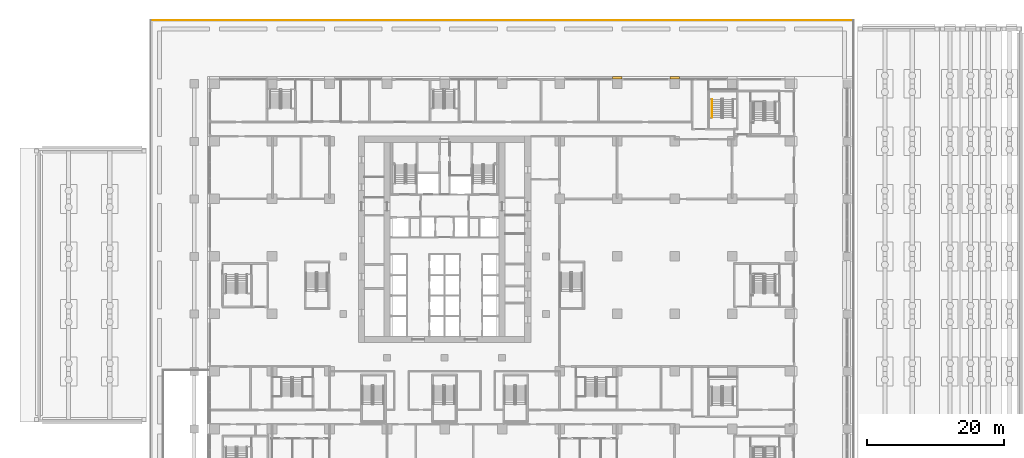
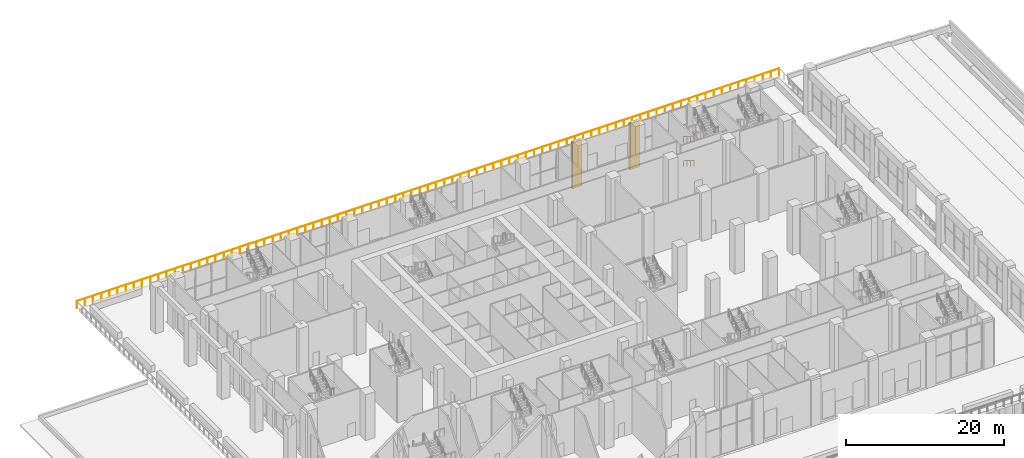
# One storey, part 52 of 53: 3 railings, 2 coverings.
"""IFC4 building model written with IfcOpenShell, lengths in metres."""

from ifc_helpers import new_model, si_unit, direction, frame, origin, origin_2d, place, context, subcontext, project, spatial, polyline, rectangle, outline, extrude, material, type_object, element, save


model = new_model("IFC4")

# Units and contexts
model_context = context("Model", 3, precision=1e-05, world=origin(), true_north=direction((0.0, 1.0)))
body_context = subcontext(model_context, "Body", "Model", "MODEL_VIEW")
ifc_project = project(units=[si_unit("LENGTHUNIT", "METRE"), si_unit("AREAUNIT", "SQUARE_METRE"), si_unit("VOLUMEUNIT", "CUBIC_METRE"), si_unit("PLANEANGLEUNIT", "RADIAN"), si_unit("MASSUNIT", "GRAM", prefix="KILO")], contexts=[model_context])

# Site, building, storey
site_placement = place(None, origin())
site = spatial("IfcSite", under=ifc_project, at=site_placement, CompositionType="ELEMENT")
building_placement = place(site_placement, origin())
building = spatial("IfcBuilding", under=site, at=building_placement, Name="Vermilion Ogive Tower", CompositionType="ELEMENT")
storey_placement = place(building_placement, origin())
storey = spatial("IfcBuildingStorey", under=building, at=storey_placement, Name="L00", CompositionType="ELEMENT", Elevation=0.0)

# Railings
ifc_material_1 = material(Name="Stainless steel", Category="steel")
railing_type_1 = type_object("IfcRailingType", Name="Stair handrail 900", PredefinedType="HANDRAIL", material=ifc_material_1)
for number, where, name in (
    (1, (39.050048828125, 27.14990234375, 0.1875), "L00 PS2 stair handrail 1"),
    (2, (39.050048828125, 27.14990234375, 3.9375), "L00 PS2 stair handrail 3"),
):
    element("IfcRailing", number, at=place(storey_placement, frame(where)), inside=storey, type_object=railing_type_1, Name=name, PredefinedType="HANDRAIL", context=body_context, shape_type="SweptSolid", body=[
        extrude(rectangle(XDim=0.048095703125, YDim=0.048095703125, at=origin_2d()), frame((0.0, 0.0, 0.8759765625), z_axis=(0.0, -0.847993996163, 0.530005832488), x_axis=(1.0, 0.0, 0.0)), (0.0, 0.0, 1.0), 3.183837890625),
        extrude(rectangle(XDim=0.0419921875, YDim=0.0419921875, at=origin_2d()), origin(), (0.0, 0.0, 1.0), 0.851806640625),
        extrude(rectangle(XDim=0.0419921875, YDim=0.0419921875, at=origin_2d()), frame((0.0, -0.89990234375, 0.5625)), (0.0, 0.0, 1.0), 0.851806640625),
        extrude(rectangle(XDim=0.0419921875, YDim=0.0419921875, at=origin_2d()), frame((0.0, -1.800048828125, 1.125)), (0.0, 0.0, 1.0), 0.851806640625),
        extrude(rectangle(XDim=0.0419921875, YDim=0.0419921875, at=origin_2d()), frame((0.0, -2.699951171875, 1.6875)), (0.0, 0.0, 1.0), 0.851806640625),
    ])

# Coverings
ifc_material_2 = material(Name="Stone cladding", Category="masonry")
covering_type = type_object("IfcCoveringType", Name="Stone pier", PredefinedType="CLADDING", material=ifc_material_2)
covering_1_placement = place(storey_placement, origin())
element("IfcCovering", 3, at=covering_1_placement, inside=storey, type_object=covering_type, Name="Stone pier P+252+294", PredefinedType="CLADDING", context=body_context, shape_type="SweptSolid", body=[
    extrude(outline(polyline([(24.5, 30.449951171875), (25.89990234375, 30.449951171875), (25.89990234375, 30.10009765625), (24.5, 30.10009765625), (24.5, 30.449951171875)])), origin(), (0.0, 0.0, 1.0), 7.10009765625),
])
covering_2_placement = place(storey_placement, origin())
element("IfcCovering", 4, at=covering_2_placement, inside=storey, type_object=covering_type, Name="Stone pier P+336+294", PredefinedType="CLADDING", context=body_context, shape_type="SweptSolid", body=[
    extrude(outline(polyline([(32.89990234375, 30.449951171875), (34.300048828125, 30.449951171875), (34.300048828125, 30.10009765625), (32.89990234375, 30.10009765625), (32.89990234375, 30.449951171875)])), origin(), (0.0, 0.0, 1.0), 7.10009765625),
])

# Railing
ifc_material_3 = material(Name="Stainless steel and glass", Category="steel")
railing_type_2 = type_object("IfcRailingType", Name="Terrace guard", PredefinedType="GUARDRAIL", material=ifc_material_3)
railing_placement = place(storey_placement, frame((-42.89990234375, 38.699951171875, 0.0)))
element("IfcRailing", 5, at=railing_placement, inside=storey, type_object=railing_type_2, Name="Terrace guard 1.1", PredefinedType="GUARDRAIL", context=body_context, shape_type="SweptSolid", body=[
    extrude(rectangle(XDim=0.048095703125, YDim=0.048095703125, at=origin_2d()), frame((0.0, 0.0, 1.076171875), z_axis=(1.0, 0.0, 0.0), x_axis=(0.0, 1.0, 0.0)), (0.0, 0.0, 1.0), 102.599853515625),
    extrude(rectangle(XDim=0.0419921875, YDim=0.0419921875, at=origin_2d()), origin(), (0.0, 0.0, 1.0), 1.052001953125),
    extrude(rectangle(XDim=0.0419921875, YDim=0.0419921875, at=origin_2d()), frame((1.193115234375, 0.0, 0.0)), (0.0, 0.0, 1.0), 1.052001953125),
    extrude(rectangle(XDim=0.0419921875, YDim=0.0419921875, at=origin_2d()), frame((2.385986328125, 0.0, 0.0)), (0.0, 0.0, 1.0), 1.052001953125),
    extrude(rectangle(XDim=0.0419921875, YDim=0.0419921875, at=origin_2d()), frame((3.5791015625, 0.0, 0.0)), (0.0, 0.0, 1.0), 1.052001953125),
    extrude(rectangle(XDim=0.0419921875, YDim=0.0419921875, at=origin_2d()), frame((4.77197265625, 0.0, 0.0)), (0.0, 0.0, 1.0), 1.052001953125),
    extrude(rectangle(XDim=0.0419921875, YDim=0.0419921875, at=origin_2d()), frame((5.965087890625, 0.0, 0.0)), (0.0, 0.0, 1.0), 1.052001953125),
    extrude(rectangle(XDim=0.0419921875, YDim=0.0419921875, at=origin_2d()), frame((7.158203125, 0.0, 0.0)), (0.0, 0.0, 1.0), 1.052001953125),
    extrude(rectangle(XDim=0.0419921875, YDim=0.0419921875, at=origin_2d()), frame((8.35107421875, 0.0, 0.0)), (0.0, 0.0, 1.0), 1.052001953125),
    extrude(rectangle(XDim=0.0419921875, YDim=0.0419921875, at=origin_2d()), frame((9.544189453125, 0.0, 0.0)), (0.0, 0.0, 1.0), 1.052001953125),
    extrude(rectangle(XDim=0.0419921875, YDim=0.0419921875, at=origin_2d()), frame((10.7373046875, 0.0, 0.0)), (0.0, 0.0, 1.0), 1.052001953125),
    extrude(rectangle(XDim=0.0419921875, YDim=0.0419921875, at=origin_2d()), frame((11.93017578125, 0.0, 0.0)), (0.0, 0.0, 1.0), 1.052001953125),
    extrude(rectangle(XDim=0.0419921875, YDim=0.0419921875, at=origin_2d()), frame((13.123291015625, 0.0, 0.0)), (0.0, 0.0, 1.0), 1.052001953125),
    extrude(rectangle(XDim=0.0419921875, YDim=0.0419921875, at=origin_2d()), frame((14.316162109375, 0.0, 0.0)), (0.0, 0.0, 1.0), 1.052001953125),
    extrude(rectangle(XDim=0.0419921875, YDim=0.0419921875, at=origin_2d()), frame((15.50927734375, 0.0, 0.0)), (0.0, 0.0, 1.0), 1.052001953125),
    extrude(rectangle(XDim=0.0419921875, YDim=0.0419921875, at=origin_2d()), frame((16.702392578125, 0.0, 0.0)), (0.0, 0.0, 1.0), 1.052001953125),
    extrude(rectangle(XDim=0.0419921875, YDim=0.0419921875, at=origin_2d()), frame((17.895263671875, 0.0, 0.0)), (0.0, 0.0, 1.0), 1.052001953125),
    extrude(rectangle(XDim=0.0419921875, YDim=0.0419921875, at=origin_2d()), frame((19.08837890625, 0.0, 0.0)), (0.0, 0.0, 1.0), 1.052001953125),
    extrude(rectangle(XDim=0.0419921875, YDim=0.0419921875, at=origin_2d()), frame((20.28125, 0.0, 0.0)), (0.0, 0.0, 1.0), 1.052001953125),
    extrude(rectangle(XDim=0.0419921875, YDim=0.0419921875, at=origin_2d()), frame((21.474365234375, 0.0, 0.0)), (0.0, 0.0, 1.0), 1.052001953125),
    extrude(rectangle(XDim=0.0419921875, YDim=0.0419921875, at=origin_2d()), frame((22.66748046875, 0.0, 0.0)), (0.0, 0.0, 1.0), 1.052001953125),
    extrude(rectangle(XDim=0.0419921875, YDim=0.0419921875, at=origin_2d()), frame((23.8603515625, 0.0, 0.0)), (0.0, 0.0, 1.0), 1.052001953125),
    extrude(rectangle(XDim=0.0419921875, YDim=0.0419921875, at=origin_2d()), frame((25.053466796875, 0.0, 0.0)), (0.0, 0.0, 1.0), 1.052001953125),
    extrude(rectangle(XDim=0.0419921875, YDim=0.0419921875, at=origin_2d()), frame((26.24658203125, 0.0, 0.0)), (0.0, 0.0, 1.0), 1.052001953125),
    extrude(rectangle(XDim=0.0419921875, YDim=0.0419921875, at=origin_2d()), frame((27.439453125, 0.0, 0.0)), (0.0, 0.0, 1.0), 1.052001953125),
    extrude(rectangle(XDim=0.0419921875, YDim=0.0419921875, at=origin_2d()), frame((28.632568359375, 0.0, 0.0)), (0.0, 0.0, 1.0), 1.052001953125),
    extrude(rectangle(XDim=0.0419921875, YDim=0.0419921875, at=origin_2d()), frame((29.825439453125, 0.0, 0.0)), (0.0, 0.0, 1.0), 1.052001953125),
    extrude(rectangle(XDim=0.0419921875, YDim=0.0419921875, at=origin_2d()), frame((31.0185546875, 0.0, 0.0)), (0.0, 0.0, 1.0), 1.052001953125),
    extrude(rectangle(XDim=0.0419921875, YDim=0.0419921875, at=origin_2d()), frame((32.211669921875, 0.0, 0.0)), (0.0, 0.0, 1.0), 1.052001953125),
    extrude(rectangle(XDim=0.0419921875, YDim=0.0419921875, at=origin_2d()), frame((33.404541015625, 0.0, 0.0)), (0.0, 0.0, 1.0), 1.052001953125),
    extrude(rectangle(XDim=0.0419921875, YDim=0.0419921875, at=origin_2d()), frame((34.59765625, 0.0, 0.0)), (0.0, 0.0, 1.0), 1.052001953125),
    extrude(rectangle(XDim=0.0419921875, YDim=0.0419921875, at=origin_2d()), frame((35.79052734375, 0.0, 0.0)), (0.0, 0.0, 1.0), 1.052001953125),
    extrude(rectangle(XDim=0.0419921875, YDim=0.0419921875, at=origin_2d()), frame((36.983642578125, 0.0, 0.0)), (0.0, 0.0, 1.0), 1.052001953125),
    extrude(rectangle(XDim=0.0419921875, YDim=0.0419921875, at=origin_2d()), frame((38.1767578125, 0.0, 0.0)), (0.0, 0.0, 1.0), 1.052001953125),
    extrude(rectangle(XDim=0.0419921875, YDim=0.0419921875, at=origin_2d()), frame((39.36962890625, 0.0, 0.0)), (0.0, 0.0, 1.0), 1.052001953125),
    extrude(rectangle(XDim=0.0419921875, YDim=0.0419921875, at=origin_2d()), frame((40.562744140625, 0.0, 0.0)), (0.0, 0.0, 1.0), 1.052001953125),
    extrude(rectangle(XDim=0.0419921875, YDim=0.0419921875, at=origin_2d()), frame((41.755859375, 0.0, 0.0)), (0.0, 0.0, 1.0), 1.052001953125),
    extrude(rectangle(XDim=0.0419921875, YDim=0.0419921875, at=origin_2d()), frame((42.94873046875, 0.0, 0.0)), (0.0, 0.0, 1.0), 1.052001953125),
    extrude(rectangle(XDim=0.0419921875, YDim=0.0419921875, at=origin_2d()), frame((44.141845703125, 0.0, 0.0)), (0.0, 0.0, 1.0), 1.052001953125),
    extrude(rectangle(XDim=0.0419921875, YDim=0.0419921875, at=origin_2d()), frame((45.334716796875, 0.0, 0.0)), (0.0, 0.0, 1.0), 1.052001953125),
    extrude(rectangle(XDim=0.0419921875, YDim=0.0419921875, at=origin_2d()), frame((46.52783203125, 0.0, 0.0)), (0.0, 0.0, 1.0), 1.052001953125),
    extrude(rectangle(XDim=0.0419921875, YDim=0.0419921875, at=origin_2d()), frame((47.720947265625, 0.0, 0.0)), (0.0, 0.0, 1.0), 1.052001953125),
    extrude(rectangle(XDim=0.0419921875, YDim=0.0419921875, at=origin_2d()), frame((48.913818359375, 0.0, 0.0)), (0.0, 0.0, 1.0), 1.052001953125),
    extrude(rectangle(XDim=0.0419921875, YDim=0.0419921875, at=origin_2d()), frame((50.10693359375, 0.0, 0.0)), (0.0, 0.0, 1.0), 1.052001953125),
    extrude(rectangle(XDim=0.0419921875, YDim=0.0419921875, at=origin_2d()), frame((51.2998046875, 0.0, 0.0)), (0.0, 0.0, 1.0), 1.052001953125),
    extrude(rectangle(XDim=0.0419921875, YDim=0.0419921875, at=origin_2d()), frame((52.492919921875, 0.0, 0.0)), (0.0, 0.0, 1.0), 1.052001953125),
    extrude(rectangle(XDim=0.0419921875, YDim=0.0419921875, at=origin_2d()), frame((53.68603515625, 0.0, 0.0)), (0.0, 0.0, 1.0), 1.052001953125),
    extrude(rectangle(XDim=0.0419921875, YDim=0.0419921875, at=origin_2d()), frame((54.87890625, 0.0, 0.0)), (0.0, 0.0, 1.0), 1.052001953125),
    extrude(rectangle(XDim=0.0419921875, YDim=0.0419921875, at=origin_2d()), frame((56.072021484375, 0.0, 0.0)), (0.0, 0.0, 1.0), 1.052001953125),
    extrude(rectangle(XDim=0.0419921875, YDim=0.0419921875, at=origin_2d()), frame((57.26513671875, 0.0, 0.0)), (0.0, 0.0, 1.0), 1.052001953125),
    extrude(rectangle(XDim=0.0419921875, YDim=0.0419921875, at=origin_2d()), frame((58.4580078125, 0.0, 0.0)), (0.0, 0.0, 1.0), 1.052001953125),
    extrude(rectangle(XDim=0.0419921875, YDim=0.0419921875, at=origin_2d()), frame((59.651123046875, 0.0, 0.0)), (0.0, 0.0, 1.0), 1.052001953125),
    extrude(rectangle(XDim=0.0419921875, YDim=0.0419921875, at=origin_2d()), frame((60.843994140625, 0.0, 0.0)), (0.0, 0.0, 1.0), 1.052001953125),
    extrude(rectangle(XDim=0.0419921875, YDim=0.0419921875, at=origin_2d()), frame((62.037109375, 0.0, 0.0)), (0.0, 0.0, 1.0), 1.052001953125),
    extrude(rectangle(XDim=0.0419921875, YDim=0.0419921875, at=origin_2d()), frame((63.230224609375, 0.0, 0.0)), (0.0, 0.0, 1.0), 1.052001953125),
    extrude(rectangle(XDim=0.0419921875, YDim=0.0419921875, at=origin_2d()), frame((64.423095703125, 0.0, 0.0)), (0.0, 0.0, 1.0), 1.052001953125),
    extrude(rectangle(XDim=0.0419921875, YDim=0.0419921875, at=origin_2d()), frame((65.6162109375, 0.0, 0.0)), (0.0, 0.0, 1.0), 1.052001953125),
    extrude(rectangle(XDim=0.0419921875, YDim=0.0419921875, at=origin_2d()), frame((66.809326171875, 0.0, 0.0)), (0.0, 0.0, 1.0), 1.052001953125),
    extrude(rectangle(XDim=0.0419921875, YDim=0.0419921875, at=origin_2d()), frame((68.002197265625, 0.0, 0.0)), (0.0, 0.0, 1.0), 1.052001953125),
    extrude(rectangle(XDim=0.0419921875, YDim=0.0419921875, at=origin_2d()), frame((69.1953125, 0.0, 0.0)), (0.0, 0.0, 1.0), 1.052001953125),
    extrude(rectangle(XDim=0.0419921875, YDim=0.0419921875, at=origin_2d()), frame((70.38818359375, 0.0, 0.0)), (0.0, 0.0, 1.0), 1.052001953125),
    extrude(rectangle(XDim=0.0419921875, YDim=0.0419921875, at=origin_2d()), frame((71.581298828125, 0.0, 0.0)), (0.0, 0.0, 1.0), 1.052001953125),
    extrude(rectangle(XDim=0.0419921875, YDim=0.0419921875, at=origin_2d()), frame((72.7744140625, 0.0, 0.0)), (0.0, 0.0, 1.0), 1.052001953125),
    extrude(rectangle(XDim=0.0419921875, YDim=0.0419921875, at=origin_2d()), frame((73.96728515625, 0.0, 0.0)), (0.0, 0.0, 1.0), 1.052001953125),
    extrude(rectangle(XDim=0.0419921875, YDim=0.0419921875, at=origin_2d()), frame((75.160400390625, 0.0, 0.0)), (0.0, 0.0, 1.0), 1.052001953125),
    extrude(rectangle(XDim=0.0419921875, YDim=0.0419921875, at=origin_2d()), frame((76.353271484375, 0.0, 0.0)), (0.0, 0.0, 1.0), 1.052001953125),
    extrude(rectangle(XDim=0.0419921875, YDim=0.0419921875, at=origin_2d()), frame((77.54638671875, 0.0, 0.0)), (0.0, 0.0, 1.0), 1.052001953125),
    extrude(rectangle(XDim=0.0419921875, YDim=0.0419921875, at=origin_2d()), frame((78.739501953125, 0.0, 0.0)), (0.0, 0.0, 1.0), 1.052001953125),
    extrude(rectangle(XDim=0.0419921875, YDim=0.0419921875, at=origin_2d()), frame((79.932373046875, 0.0, 0.0)), (0.0, 0.0, 1.0), 1.052001953125),
    extrude(rectangle(XDim=0.0419921875, YDim=0.0419921875, at=origin_2d()), frame((81.12548828125, 0.0, 0.0)), (0.0, 0.0, 1.0), 1.052001953125),
    extrude(rectangle(XDim=0.0419921875, YDim=0.0419921875, at=origin_2d()), frame((82.318603515625, 0.0, 0.0)), (0.0, 0.0, 1.0), 1.052001953125),
    extrude(rectangle(XDim=0.0419921875, YDim=0.0419921875, at=origin_2d()), frame((83.511474609375, 0.0, 0.0)), (0.0, 0.0, 1.0), 1.052001953125),
    extrude(rectangle(XDim=0.0419921875, YDim=0.0419921875, at=origin_2d()), frame((84.70458984375, 0.0, 0.0)), (0.0, 0.0, 1.0), 1.052001953125),
    extrude(rectangle(XDim=0.0419921875, YDim=0.0419921875, at=origin_2d()), frame((85.8974609375, 0.0, 0.0)), (0.0, 0.0, 1.0), 1.052001953125),
    extrude(rectangle(XDim=0.0419921875, YDim=0.0419921875, at=origin_2d()), frame((87.090576171875, 0.0, 0.0)), (0.0, 0.0, 1.0), 1.052001953125),
    extrude(rectangle(XDim=0.0419921875, YDim=0.0419921875, at=origin_2d()), frame((88.28369140625, 0.0, 0.0)), (0.0, 0.0, 1.0), 1.052001953125),
    extrude(rectangle(XDim=0.0419921875, YDim=0.0419921875, at=origin_2d()), frame((89.4765625, 0.0, 0.0)), (0.0, 0.0, 1.0), 1.052001953125),
    extrude(rectangle(XDim=0.0419921875, YDim=0.0419921875, at=origin_2d()), frame((90.669677734375, 0.0, 0.0)), (0.0, 0.0, 1.0), 1.052001953125),
    extrude(rectangle(XDim=0.0419921875, YDim=0.0419921875, at=origin_2d()), frame((91.862548828125, 0.0, 0.0)), (0.0, 0.0, 1.0), 1.052001953125),
    extrude(rectangle(XDim=0.0419921875, YDim=0.0419921875, at=origin_2d()), frame((93.0556640625, 0.0, 0.0)), (0.0, 0.0, 1.0), 1.052001953125),
    extrude(rectangle(XDim=0.0419921875, YDim=0.0419921875, at=origin_2d()), frame((94.248779296875, 0.0, 0.0)), (0.0, 0.0, 1.0), 1.052001953125),
    extrude(rectangle(XDim=0.0419921875, YDim=0.0419921875, at=origin_2d()), frame((95.441650390625, 0.0, 0.0)), (0.0, 0.0, 1.0), 1.052001953125),
    extrude(rectangle(XDim=0.0419921875, YDim=0.0419921875, at=origin_2d()), frame((96.634765625, 0.0, 0.0)), (0.0, 0.0, 1.0), 1.052001953125),
    extrude(rectangle(XDim=0.0419921875, YDim=0.0419921875, at=origin_2d()), frame((97.827880859375, 0.0, 0.0)), (0.0, 0.0, 1.0), 1.052001953125),
    extrude(rectangle(XDim=0.0419921875, YDim=0.0419921875, at=origin_2d()), frame((99.020751953125, 0.0, 0.0)), (0.0, 0.0, 1.0), 1.052001953125),
    extrude(rectangle(XDim=0.0419921875, YDim=0.0419921875, at=origin_2d()), frame((100.2138671875, 0.0, 0.0)), (0.0, 0.0, 1.0), 1.052001953125),
    extrude(rectangle(XDim=0.0419921875, YDim=0.0419921875, at=origin_2d()), frame((101.40673828125, 0.0, 0.0)), (0.0, 0.0, 1.0), 1.052001953125),
    extrude(rectangle(XDim=0.0419921875, YDim=0.0419921875, at=origin_2d()), frame((102.599853515625, 0.0, 0.0)), (0.0, 0.0, 1.0), 1.052001953125),
])

save(model, "model.ifc")
